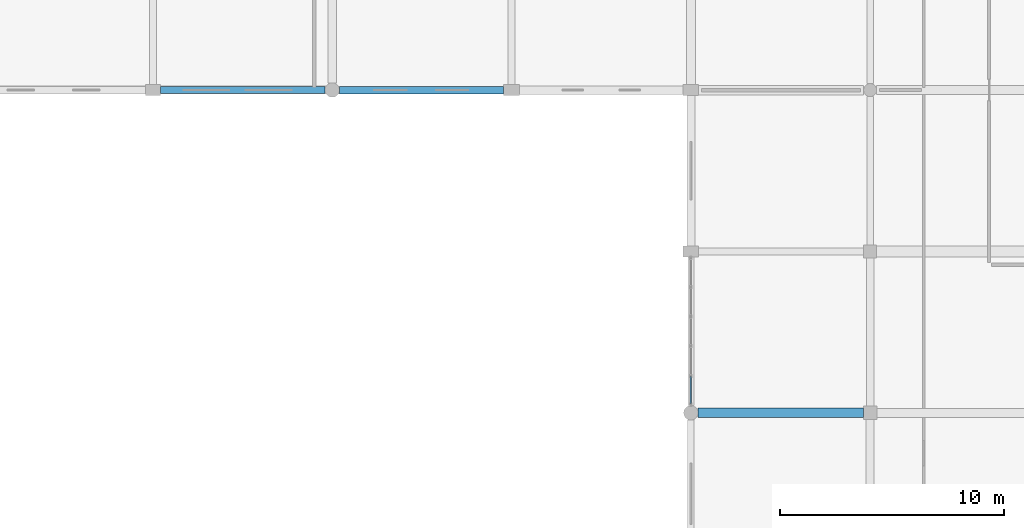
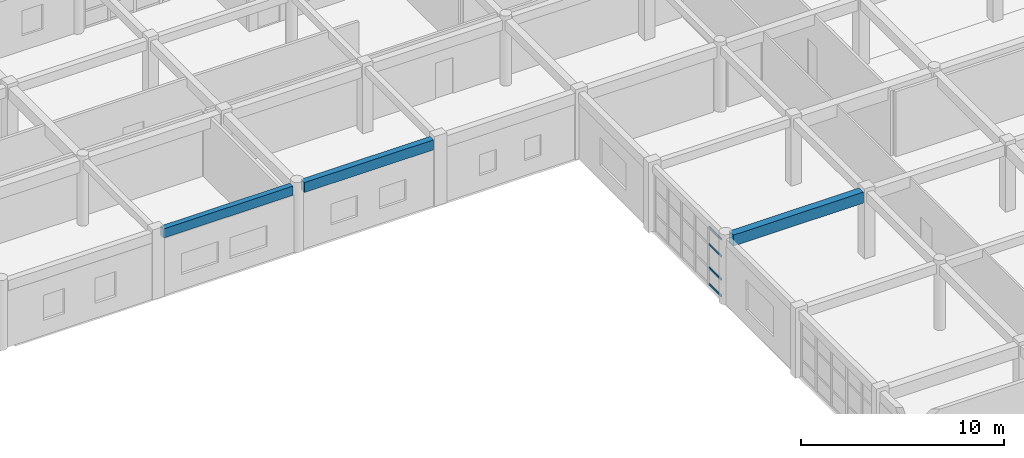
# One storey, part 25 of 53: 4 members, 3 beams, 1 element without a shape of its own.
"""IFC4 building model written with IfcOpenShell, lengths in metres."""

import ifcopenshell
import ifcopenshell.guid

model = None  # the IFC model being written
_history = None  # IfcOwnerHistory: only IFC2X3 demands one
_inside = {}  # id of a spatial element -> (the spatial element, [elements in it])
_under = {}  # id of a project, library or spatial element -> (it, [spatial elements below it])
_declared = {}  # id of a project -> (the project, [libraries it declares])
_typed = {}  # id of a type object -> (the type object, [elements of that type])
_made_of = {}  # id of a material, layer set ... -> (it, [elements and type objects made of it])


def new_model(schema):
    """Start an empty IFC model of exactly this schema.

    Asked for "IFC4X3", IfcOpenShell would pick the latest addendum, in which some entities
    have other attributes; the version numbers below select the first issue.
    IFC2X3 requires an IfcOwnerHistory on every rooted entity: one is made here for all.
    """
    global model, _history
    if schema == "IFC4X3":
        model = ifcopenshell.file(schema_version=(4, 3, 0, 0))
    else:
        model = ifcopenshell.file(schema=schema)
    _inside.clear()
    _under.clear()
    _declared.clear()
    _typed.clear()
    _made_of.clear()
    _history = None
    if model.schema == "IFC2X3":
        org = make("IfcOrganization", Name="unknown")
        user = make(
            "IfcPersonAndOrganization",
            ThePerson=make("IfcPerson", FamilyName="unknown"),
            TheOrganization=org,
        )
        app = make(
            "IfcApplication",
            ApplicationDeveloper=org,
            Version="unknown",
            ApplicationFullName="unknown",
            ApplicationIdentifier="unknown",
        )
        _history = make(
            "IfcOwnerHistory",
            OwningUser=user,
            OwningApplication=app,
            ChangeAction="ADDED",
            CreationDate=0,
        )
    return model


def make(cls, **values):
    """One entity of the class cls with the attributes given. An attribute that is None is left unset."""
    return model.create_entity(
        cls, **{name: value for name, value in values.items() if value is not None}
    )


def rooted(cls, **values):
    """An entity with a GlobalId (a new one), such as an element, a storey or a relation."""
    return make(cls, GlobalId=ifcopenshell.guid.new(), OwnerHistory=_history, **values)


def si_unit(unit_type, name, prefix=None):
    """IfcSIUnit, for example si_unit("LENGTHUNIT", "METRE", prefix="MILLI")."""
    return make("IfcSIUnit", UnitType=unit_type, Prefix=prefix, Name=name)


def assignment(units):
    """IfcUnitAssignment: the units of a project."""
    return None if units is None else make("IfcUnitAssignment", Units=units)


def point(xyz):
    """IfcCartesianPoint."""
    return None if xyz is None else make("IfcCartesianPoint", Coordinates=xyz)


def direction(xyz):
    """IfcDirection."""
    return None if xyz is None else make("IfcDirection", DirectionRatios=xyz)


def frame(location, z_axis=None, x_axis=None):
    """IfcAxis2Placement3D, a coordinate frame: its origin and axes. An axis left out is left unset."""
    return make(
        "IfcAxis2Placement3D",
        Location=point(location),
        Axis=direction(z_axis),
        RefDirection=direction(x_axis),
    )


def frame_2d(location, x_axis=None):
    """IfcAxis2Placement2D, a coordinate frame in the plane: its origin and x axis."""
    return make(
        "IfcAxis2Placement2D", Location=point(location), RefDirection=direction(x_axis)
    )


def origin():
    """The frame at (0, 0, 0) with its axes left unset."""
    return frame((0.0, 0.0, 0.0))


def origin_2d():
    """The frame at (0, 0) in the plane with its x axis left unset."""
    return frame_2d((0.0, 0.0))


def place(relative_to, where):
    """IfcLocalPlacement: puts the frame where relative to a parent placement (None: the world)."""
    return make(
        "IfcLocalPlacement", PlacementRelTo=relative_to, RelativePlacement=where
    )


def context(
    kind, dimensions, precision=None, world=None, true_north=None, identifier=None
):
    """IfcGeometricRepresentationContext, for example the 3D "Model" context."""
    return make(
        "IfcGeometricRepresentationContext",
        ContextIdentifier=identifier,
        ContextType=kind,
        CoordinateSpaceDimension=dimensions,
        Precision=precision,
        WorldCoordinateSystem=world,
        TrueNorth=true_north,
    )


def subcontext(parent, identifier, kind, view, scale=None):
    """IfcGeometricRepresentationSubContext, for example "Body" below "Model"."""
    return make(
        "IfcGeometricRepresentationSubContext",
        ContextIdentifier=identifier,
        ContextType=kind,
        ParentContext=parent,
        TargetScale=scale,
        TargetView=view,
    )


def project(units=None, contexts=None):
    """IfcProject with its units and contexts."""
    return rooted(
        "IfcProject",
        Name="project",
        RepresentationContexts=contexts,
        UnitsInContext=assignment(units),
    )


def spatial(cls, under=None, at=None, **own):
    """A site, building, storey or space (cls), placed at a placement, below another one or the project."""
    s = rooted(cls, ObjectPlacement=at, **own)
    if under is not None:
        _under.setdefault(under.id(), (under, []))[1].append(s)
    return s


def profile(cls, at=None, kind="AREA", **sizes):
    """A parametric profile (cls). Its sizes go by their IFC names, for example OverallWidth=200.0."""
    return make(cls, ProfileType=kind, Position=at, **sizes)


def rectangle(**sizes):
    """IfcRectangleProfileDef."""
    return profile("IfcRectangleProfileDef", **sizes)


def hollow_rectangle(**sizes):
    """IfcRectangleHollowProfileDef."""
    return profile("IfcRectangleHollowProfileDef", **sizes)


def extrude(swept, where, along, depth):
    """IfcExtrudedAreaSolid: the profile swept, set in the frame where, extruded along a direction by depth."""
    return make(
        "IfcExtrudedAreaSolid",
        SweptArea=swept,
        Position=where,
        ExtrudedDirection=direction(along),
        Depth=depth,
    )


def shape(context_of_items, identifier, shape_type, items):
    """IfcShapeRepresentation: the items that make up one representation, for example the "Body"."""
    return make(
        "IfcShapeRepresentation",
        ContextOfItems=context_of_items,
        RepresentationIdentifier=identifier,
        RepresentationType=shape_type,
        Items=items,
    )


def material(Name=None, Category=None):
    """IfcMaterial."""
    return make("IfcMaterial", Name=Name, Category=Category)


def material_profile(
    of_material, cross_section, Name=None, Category=None, Priority=None
):
    """IfcMaterialProfile: a cross section and its material."""
    return make(
        "IfcMaterialProfile",
        Name=Name,
        Material=of_material,
        Profile=cross_section,
        Priority=Priority,
        Category=Category,
    )


def profile_set(profiles, Name=None, composite=None):
    """IfcMaterialProfileSet."""
    return make(
        "IfcMaterialProfileSet",
        Name=Name,
        MaterialProfiles=profiles,
        CompositeProfile=composite,
    )


def made_of(thing, what):
    """Note that an element or type object is made of a material, layer set ...; save() writes the relation."""
    if what is not None:
        _made_of.setdefault(what.id(), (what, []))[1].append(thing)
    return thing


def type_object(cls, material=None, **own):
    """A type object (cls), such as IfcWallType, which elements share."""
    return made_of(rooted(cls, **own), material)


def element(
    cls,
    number,
    at=None,
    inside=None,
    cuts=None,
    type_object=None,
    material=None,
    context=None,
    identifier="Body",
    shape_type=None,
    held_by="IfcProductDefinitionShape",
    body=None,
    shapes=None,
    **own,
):
    """One element of the class cls, such as IfcWall. Its Tag is "e" and its number.

    at: its placement. inside: the storey or other place that contains it. cuts: it is an
    opening in that element (IfcRelVoidsElement). A single representation is given by context,
    identifier, shape_type and body (its items); several are given by shapes. held_by: the class
    of the entity that holds the representations. save() writes the other relations.
    """
    e = rooted(cls, Tag="e%d" % number, ObjectPlacement=at, **own)
    if body is not None:
        shapes = [shape(context, identifier, shape_type, body)]
    if shapes is not None:
        e.Representation = make(held_by, Representations=shapes)
    if inside is not None:
        _inside.setdefault(inside.id(), (inside, []))[1].append(e)
    if cuts is not None:
        rooted(
            "IfcRelVoidsElement", RelatingBuildingElement=cuts, RelatedOpeningElement=e
        )
    if type_object is not None:
        _typed.setdefault(type_object.id(), (type_object, []))[1].append(e)
    return made_of(e, material)


def aggregate(whole, parts):
    """IfcRelAggregates: a whole, such as a stair, and the parts it consists of."""
    return rooted("IfcRelAggregates", RelatingObject=whole, RelatedObjects=parts)


def save(model, path):
    """Write the relations noted so far, then the file.

    IfcRelAggregates (storeys below a building ...), IfcRelContainedInSpatialStructure (elements
    in a storey), IfcRelDefinesByType, IfcRelAssociatesMaterial and IfcRelDeclares: one each for
    every whole, place, type object, material and project.
    """
    for whole, parts in _under.values():
        aggregate(whole, parts)
    for where, things in _inside.values():
        rooted(
            "IfcRelContainedInSpatialStructure",
            RelatedElements=things,
            RelatingStructure=where,
        )
    for kind, things in _typed.values():
        rooted("IfcRelDefinesByType", RelatedObjects=things, RelatingType=kind)
    for what, things in _made_of.values():
        rooted("IfcRelAssociatesMaterial", RelatedObjects=things, RelatingMaterial=what)
    for by, libraries in _declared.values():
        rooted("IfcRelDeclares", RelatingContext=by, RelatedDefinitions=libraries)
    model.write(path)


model = new_model("IFC4")

# Units and contexts
model_context = context("Model", 3, precision=1e-05, world=origin(), true_north=direction((0.0, 1.0)))
body_context = subcontext(model_context, "Body", "Model", "MODEL_VIEW")
ifc_project = project(units=[si_unit("LENGTHUNIT", "METRE"), si_unit("AREAUNIT", "SQUARE_METRE"), si_unit("VOLUMEUNIT", "CUBIC_METRE"), si_unit("PLANEANGLEUNIT", "RADIAN"), si_unit("MASSUNIT", "GRAM", prefix="KILO")], contexts=[model_context])

# Site, building, storey
site_placement = place(None, origin())
site = spatial("IfcSite", under=ifc_project, at=site_placement, CompositionType="ELEMENT")
building_placement = place(site_placement, origin())
building = spatial("IfcBuilding", under=site, at=building_placement, Name="Kharva Crest Polytechnic", CompositionType="ELEMENT")
storey_placement = place(building_placement, frame((0.0, 0.0, 17.39990234375)))
storey = spatial("IfcBuildingStorey", under=building, at=storey_placement, Name="L04", CompositionType="ELEMENT", Elevation=17.39990234375)

# Beam
ifc_material_1 = material(Name="Concrete C35/45", Category="concrete")
ifc_material_profile_1 = material_profile(ifc_material_1, rectangle(XDim=0.419921875, YDim=0.659912109375, at=origin_2d()), Name="RECT 420 X 660")
ifc_profile_set_1 = profile_set([ifc_material_profile_1], Name="Concrete C35/45")
beam_type_1 = type_object("IfcBeamType", Name="BM-RC-420X660", PredefinedType="BEAM", material=ifc_profile_set_1)
beam_1_placement = place(storey_placement, frame((153.1201171875, 86.0, 3.64013671875), z_axis=(1.0, 0.0, 0.0), x_axis=(0.0, 1.0, 0.0)))
element("IfcBeam", 1, at=beam_1_placement, inside=storey, type_object=beam_type_1, Name="L04 Beam M/20-21", PredefinedType="BEAM", context=body_context, shape_type="SweptSolid", body=[
    extrude(rectangle(XDim=0.419921875, YDim=0.659912109375, at=origin_2d()), origin(), (0.0, 0.0, 1.0), 7.3798828125),
])

# Curtain wall, members
ifc_material_2 = material(Name="Tempered insulated glass", Category="glass")
curtain_wall_type = type_object("IfcCurtainWallType", Name="CW-SYS-STUDIO", PredefinedType="USERDEFINED", material=ifc_material_2)
curtain_wall_placement = place(storey_placement, origin())
curtain_wall = element("IfcCurtainWall", 2, at=curtain_wall_placement, inside=storey, type_object=curtain_wall_type, Name="L04 Glazed Curtain Wall CW-182", ObjectType="CURTAIN WALL", PredefinedType="USERDEFINED")
ifc_material_3 = material(Name="Steel S355", Category="steel")
ifc_material_profile_2 = material_profile(ifc_material_3, hollow_rectangle(XDim=0.06005859375, YDim=0.1201171875, WallThickness=0.00390625, at=origin_2d()), Name="RHS 120X60X4.0")
ifc_profile_set_2 = profile_set([ifc_material_profile_2], Name="Steel S355")
member_type = type_object("IfcMemberType", Name="CWT-RHS120X60", PredefinedType="USERDEFINED", material=ifc_profile_set_2)
member_1_placement = place(storey_placement, frame((152.800048828125, 87.60888671875, 0.06005859375), z_axis=(0.0, -1.0, 0.0), x_axis=(1.0, 0.0, 0.0)))
member_1 = element("IfcMember", 3, at=member_1_placement, type_object=member_type, Name="CW-182 transom 5.1", ObjectType="TRANSOM", PredefinedType="USERDEFINED", context=body_context, shape_type="SweptSolid", body=[
    extrude(hollow_rectangle(XDim=0.06005859375, YDim=0.1201171875, WallThickness=0.00390625, at=origin_2d()), origin(), (0.0, 0.0, 1.0), 1.203857421875),
])
member_2_placement = place(storey_placement, frame((152.800048828125, 87.60888671875, 1.050048828125), z_axis=(0.0, -1.0, 0.0), x_axis=(1.0, 0.0, 0.0)))
member_2 = element("IfcMember", 4, at=member_2_placement, type_object=member_type, Name="CW-182 transom 5.2", ObjectType="TRANSOM", PredefinedType="USERDEFINED", context=body_context, shape_type="SweptSolid", body=[
    extrude(hollow_rectangle(XDim=0.06005859375, YDim=0.1201171875, WallThickness=0.00390625, at=origin_2d()), origin(), (0.0, 0.0, 1.0), 1.203857421875),
])
member_3_placement = place(storey_placement, frame((152.800048828125, 87.60888671875, 2.4501953125), z_axis=(0.0, -1.0, 0.0), x_axis=(1.0, 0.0, 0.0)))
member_3 = element("IfcMember", 5, at=member_3_placement, type_object=member_type, Name="CW-182 transom 5.3", ObjectType="TRANSOM", PredefinedType="USERDEFINED", context=body_context, shape_type="SweptSolid", body=[
    extrude(hollow_rectangle(XDim=0.06005859375, YDim=0.1201171875, WallThickness=0.00390625, at=origin_2d()), origin(), (0.0, 0.0, 1.0), 1.203857421875),
])
member_4_placement = place(storey_placement, frame((152.800048828125, 87.60888671875, 3.47021484375), z_axis=(0.0, -1.0, 0.0), x_axis=(1.0, 0.0, 0.0)))
member_4 = element("IfcMember", 6, at=member_4_placement, type_object=member_type, Name="CW-182 transom 5.4", ObjectType="TRANSOM", PredefinedType="USERDEFINED", context=body_context, shape_type="SweptSolid", body=[
    extrude(hollow_rectangle(XDim=0.06005859375, YDim=0.1201171875, WallThickness=0.00390625, at=origin_2d()), origin(), (0.0, 0.0, 1.0), 1.203857421875),
])
aggregate(curtain_wall, [member_1, member_2, member_3, member_4])

# Beams
ifc_material_profile_3 = material_profile(ifc_material_1, rectangle(XDim=0.300048828125, YDim=0.550048828125, at=origin_2d()), Name="RECT 300 X 550")
ifc_profile_set_3 = profile_set([ifc_material_profile_3], Name="Concrete C35/45")
beam_type_2 = type_object("IfcBeamType", Name="SP-RC-300X550", PredefinedType="SPANDREL", material=ifc_profile_set_3)
beam_2_placement = place(storey_placement, frame((129.139892578125, 100.39990234375, 3.695068359375), z_axis=(1.0, 0.0, 0.0), x_axis=(0.0, 1.0, 0.0)))
element("IfcBeam", 7, at=beam_2_placement, inside=storey, type_object=beam_type_2, Name="L04 Beam P/17-18", PredefinedType="SPANDREL", context=body_context, shape_type="SweptSolid", body=[
    extrude(rectangle(XDim=0.300048828125, YDim=0.550048828125, at=origin_2d()), origin(), (0.0, 0.0, 1.0), 7.340087890625),
])
ifc_material_profile_4 = material_profile(ifc_material_1, rectangle(XDim=0.340087890625, YDim=0.60009765625, at=origin_2d()), Name="RECT 340 X 600")
ifc_profile_set_4 = profile_set([ifc_material_profile_4], Name="Concrete C35/45")
beam_type_3 = type_object("IfcBeamType", Name="SP-RC-340X600", PredefinedType="SPANDREL", material=ifc_profile_set_4)
beam_3_placement = place(storey_placement, frame((137.1201171875, 100.39990234375, 3.670166015625), z_axis=(1.0, 0.0, 0.0), x_axis=(0.0, 1.0, 0.0)))
element("IfcBeam", 8, at=beam_3_placement, inside=storey, type_object=beam_type_3, Name="L04 Beam P/18-19", PredefinedType="SPANDREL", context=body_context, shape_type="SweptSolid", body=[
    extrude(rectangle(XDim=0.340087890625, YDim=0.60009765625, at=origin_2d()), origin(), (0.0, 0.0, 1.0), 7.329833984375),
])

save(model, "model.ifc")
